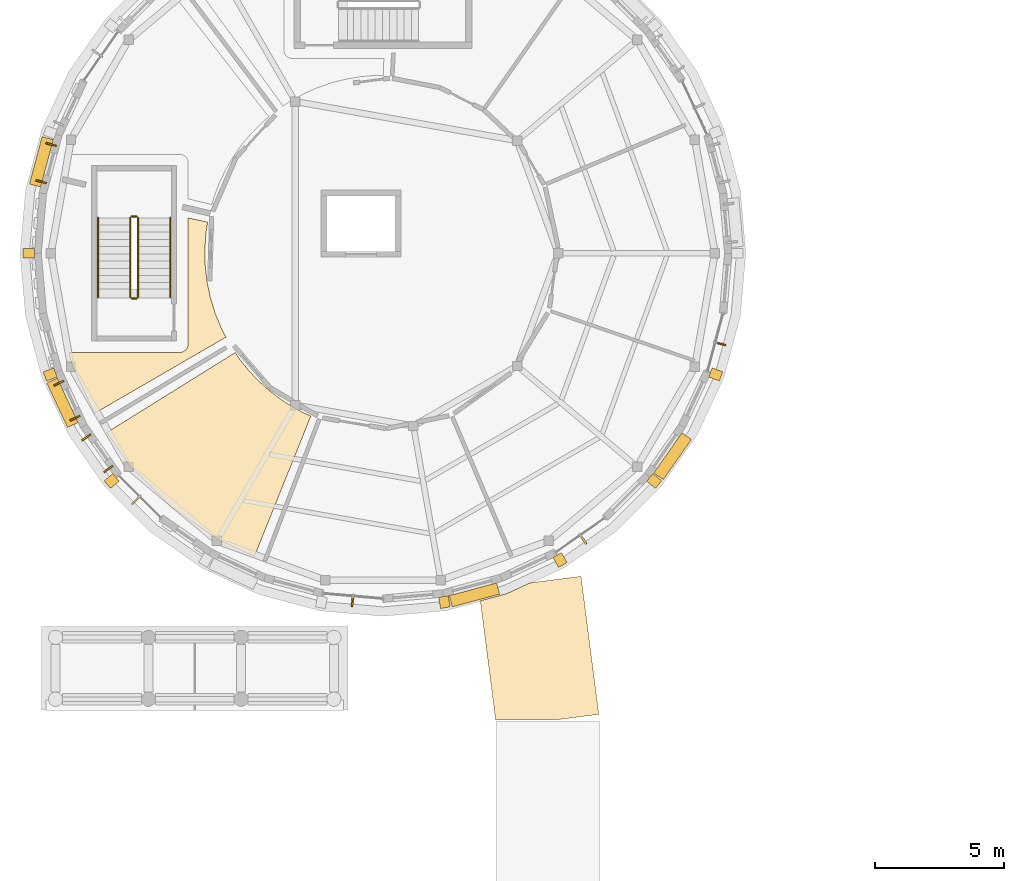
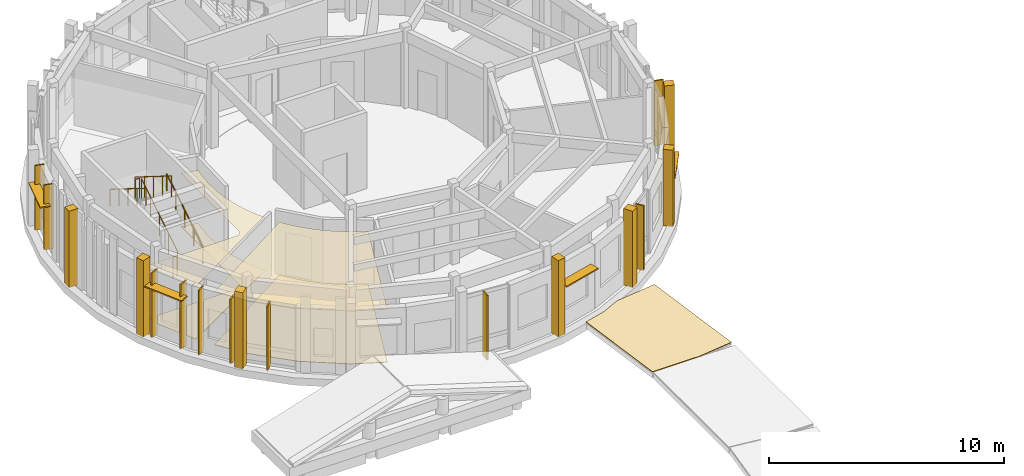
# One storey, part 53 of 58: 14 shading devices, 12 coverings, 6 railings.
"""IFC4 building model written with IfcOpenShell, lengths in metres."""

import ifcopenshell
import ifcopenshell.guid

model = None  # the IFC model being written
_history = None  # IfcOwnerHistory: only IFC2X3 demands one
_inside = {}  # id of a spatial element -> (the spatial element, [elements in it])
_under = {}  # id of a project, library or spatial element -> (it, [spatial elements below it])
_declared = {}  # id of a project -> (the project, [libraries it declares])
_typed = {}  # id of a type object -> (the type object, [elements of that type])
_made_of = {}  # id of a material, layer set ... -> (it, [elements and type objects made of it])


def new_model(schema):
    """Start an empty IFC model of exactly this schema.

    Asked for "IFC4X3", IfcOpenShell would pick the latest addendum, in which some entities
    have other attributes; the version numbers below select the first issue.
    IFC2X3 requires an IfcOwnerHistory on every rooted entity: one is made here for all.
    """
    global model, _history
    if schema == "IFC4X3":
        model = ifcopenshell.file(schema_version=(4, 3, 0, 0))
    else:
        model = ifcopenshell.file(schema=schema)
    _inside.clear()
    _under.clear()
    _declared.clear()
    _typed.clear()
    _made_of.clear()
    _history = None
    if model.schema == "IFC2X3":
        org = make("IfcOrganization", Name="unknown")
        user = make(
            "IfcPersonAndOrganization",
            ThePerson=make("IfcPerson", FamilyName="unknown"),
            TheOrganization=org,
        )
        app = make(
            "IfcApplication",
            ApplicationDeveloper=org,
            Version="unknown",
            ApplicationFullName="unknown",
            ApplicationIdentifier="unknown",
        )
        _history = make(
            "IfcOwnerHistory",
            OwningUser=user,
            OwningApplication=app,
            ChangeAction="ADDED",
            CreationDate=0,
        )
    return model


def make(cls, **values):
    """One entity of the class cls with the attributes given. An attribute that is None is left unset."""
    return model.create_entity(
        cls, **{name: value for name, value in values.items() if value is not None}
    )


def rooted(cls, **values):
    """An entity with a GlobalId (a new one), such as an element, a storey or a relation."""
    return make(cls, GlobalId=ifcopenshell.guid.new(), OwnerHistory=_history, **values)


def si_unit(unit_type, name, prefix=None):
    """IfcSIUnit, for example si_unit("LENGTHUNIT", "METRE", prefix="MILLI")."""
    return make("IfcSIUnit", UnitType=unit_type, Prefix=prefix, Name=name)


def assignment(units):
    """IfcUnitAssignment: the units of a project."""
    return None if units is None else make("IfcUnitAssignment", Units=units)


def point(xyz):
    """IfcCartesianPoint."""
    return None if xyz is None else make("IfcCartesianPoint", Coordinates=xyz)


def direction(xyz):
    """IfcDirection."""
    return None if xyz is None else make("IfcDirection", DirectionRatios=xyz)


def frame(location, z_axis=None, x_axis=None):
    """IfcAxis2Placement3D, a coordinate frame: its origin and axes. An axis left out is left unset."""
    return make(
        "IfcAxis2Placement3D",
        Location=point(location),
        Axis=direction(z_axis),
        RefDirection=direction(x_axis),
    )


def frame_2d(location, x_axis=None):
    """IfcAxis2Placement2D, a coordinate frame in the plane: its origin and x axis."""
    return make(
        "IfcAxis2Placement2D", Location=point(location), RefDirection=direction(x_axis)
    )


def origin():
    """The frame at (0, 0, 0) with its axes left unset."""
    return frame((0.0, 0.0, 0.0))


def origin_2d():
    """The frame at (0, 0) in the plane with its x axis left unset."""
    return frame_2d((0.0, 0.0))


def place(relative_to, where):
    """IfcLocalPlacement: puts the frame where relative to a parent placement (None: the world)."""
    return make(
        "IfcLocalPlacement", PlacementRelTo=relative_to, RelativePlacement=where
    )


def context(
    kind, dimensions, precision=None, world=None, true_north=None, identifier=None
):
    """IfcGeometricRepresentationContext, for example the 3D "Model" context."""
    return make(
        "IfcGeometricRepresentationContext",
        ContextIdentifier=identifier,
        ContextType=kind,
        CoordinateSpaceDimension=dimensions,
        Precision=precision,
        WorldCoordinateSystem=world,
        TrueNorth=true_north,
    )


def subcontext(parent, identifier, kind, view, scale=None):
    """IfcGeometricRepresentationSubContext, for example "Body" below "Model"."""
    return make(
        "IfcGeometricRepresentationSubContext",
        ContextIdentifier=identifier,
        ContextType=kind,
        ParentContext=parent,
        TargetScale=scale,
        TargetView=view,
    )


def project(units=None, contexts=None):
    """IfcProject with its units and contexts."""
    return rooted(
        "IfcProject",
        Name="project",
        RepresentationContexts=contexts,
        UnitsInContext=assignment(units),
    )


def spatial(cls, under=None, at=None, **own):
    """A site, building, storey or space (cls), placed at a placement, below another one or the project."""
    s = rooted(cls, ObjectPlacement=at, **own)
    if under is not None:
        _under.setdefault(under.id(), (under, []))[1].append(s)
    return s


def polyline(points):
    """IfcPolyline through the points."""
    return make("IfcPolyline", Points=[point(p) for p in points])


def profile(cls, at=None, kind="AREA", **sizes):
    """A parametric profile (cls). Its sizes go by their IFC names, for example OverallWidth=200.0."""
    return make(cls, ProfileType=kind, Position=at, **sizes)


def rectangle(**sizes):
    """IfcRectangleProfileDef."""
    return profile("IfcRectangleProfileDef", **sizes)


def circle(**sizes):
    """IfcCircleProfileDef."""
    return profile("IfcCircleProfileDef", **sizes)


def outline(outer, holes=None, kind="AREA"):
    """IfcArbitraryClosedProfileDef: a profile drawn as a closed curve; with holes, ...WithVoids."""
    if holes is None:
        return make("IfcArbitraryClosedProfileDef", ProfileType=kind, OuterCurve=outer)
    return make(
        "IfcArbitraryProfileDefWithVoids",
        ProfileType=kind,
        OuterCurve=outer,
        InnerCurves=holes,
    )


def extrude(swept, where, along, depth):
    """IfcExtrudedAreaSolid: the profile swept, set in the frame where, extruded along a direction by depth."""
    return make(
        "IfcExtrudedAreaSolid",
        SweptArea=swept,
        Position=where,
        ExtrudedDirection=direction(along),
        Depth=depth,
    )


def shape(context_of_items, identifier, shape_type, items):
    """IfcShapeRepresentation: the items that make up one representation, for example the "Body"."""
    return make(
        "IfcShapeRepresentation",
        ContextOfItems=context_of_items,
        RepresentationIdentifier=identifier,
        RepresentationType=shape_type,
        Items=items,
    )


def material(Name=None, Category=None):
    """IfcMaterial."""
    return make("IfcMaterial", Name=Name, Category=Category)


def layer(
    of_material, thickness, ventilated=None, Name=None, Category=None, Priority=None
):
    """IfcMaterialLayer: one layer of a wall or slab, of a material (None: an air gap)."""
    return make(
        "IfcMaterialLayer",
        Material=of_material,
        LayerThickness=thickness,
        IsVentilated=ventilated,
        Name=Name,
        Category=Category,
        Priority=Priority,
    )


def layer_set(layers, Name=None):
    """IfcMaterialLayerSet."""
    return make("IfcMaterialLayerSet", MaterialLayers=layers, LayerSetName=Name)


def made_of(thing, what):
    """Note that an element or type object is made of a material, layer set ...; save() writes the relation."""
    if what is not None:
        _made_of.setdefault(what.id(), (what, []))[1].append(thing)
    return thing


def type_object(cls, material=None, **own):
    """A type object (cls), such as IfcWallType, which elements share."""
    return made_of(rooted(cls, **own), material)


def element(
    cls,
    number,
    at=None,
    inside=None,
    cuts=None,
    type_object=None,
    material=None,
    context=None,
    identifier="Body",
    shape_type=None,
    held_by="IfcProductDefinitionShape",
    body=None,
    shapes=None,
    **own,
):
    """One element of the class cls, such as IfcWall. Its Tag is "e" and its number.

    at: its placement. inside: the storey or other place that contains it. cuts: it is an
    opening in that element (IfcRelVoidsElement). A single representation is given by context,
    identifier, shape_type and body (its items); several are given by shapes. held_by: the class
    of the entity that holds the representations. save() writes the other relations.
    """
    e = rooted(cls, Tag="e%d" % number, ObjectPlacement=at, **own)
    if body is not None:
        shapes = [shape(context, identifier, shape_type, body)]
    if shapes is not None:
        e.Representation = make(held_by, Representations=shapes)
    if inside is not None:
        _inside.setdefault(inside.id(), (inside, []))[1].append(e)
    if cuts is not None:
        rooted(
            "IfcRelVoidsElement", RelatingBuildingElement=cuts, RelatedOpeningElement=e
        )
    if type_object is not None:
        _typed.setdefault(type_object.id(), (type_object, []))[1].append(e)
    return made_of(e, material)


def aggregate(whole, parts):
    """IfcRelAggregates: a whole, such as a stair, and the parts it consists of."""
    return rooted("IfcRelAggregates", RelatingObject=whole, RelatedObjects=parts)


def save(model, path):
    """Write the relations noted so far, then the file.

    IfcRelAggregates (storeys below a building ...), IfcRelContainedInSpatialStructure (elements
    in a storey), IfcRelDefinesByType, IfcRelAssociatesMaterial and IfcRelDeclares: one each for
    every whole, place, type object, material and project.
    """
    for whole, parts in _under.values():
        aggregate(whole, parts)
    for where, things in _inside.values():
        rooted(
            "IfcRelContainedInSpatialStructure",
            RelatedElements=things,
            RelatingStructure=where,
        )
    for kind, things in _typed.values():
        rooted("IfcRelDefinesByType", RelatedObjects=things, RelatingType=kind)
    for what, things in _made_of.values():
        rooted("IfcRelAssociatesMaterial", RelatedObjects=things, RelatingMaterial=what)
    for by, libraries in _declared.values():
        rooted("IfcRelDeclares", RelatingContext=by, RelatedDefinitions=libraries)
    model.write(path)


model = new_model("IFC4")

# Units and contexts
model_context = context("Model", 3, precision=1e-05, world=origin(), true_north=direction((0.0, 1.0)))
body_context = subcontext(model_context, "Body", "Model", "MODEL_VIEW")
ifc_project = project(units=[si_unit("LENGTHUNIT", "METRE"), si_unit("AREAUNIT", "SQUARE_METRE"), si_unit("VOLUMEUNIT", "CUBIC_METRE"), si_unit("PLANEANGLEUNIT", "RADIAN"), si_unit("MASSUNIT", "GRAM", prefix="KILO")], contexts=[model_context])

# Site, building, storey
site_placement = place(None, origin())
site = spatial("IfcSite", under=ifc_project, at=site_placement, CompositionType="ELEMENT")
building_placement = place(site_placement, origin())
building = spatial("IfcBuilding", under=site, at=building_placement, Name="Aldenvaro Health Centre", CompositionType="ELEMENT")
storey_placement = place(building_placement, frame((0.0, 0.0, 8.75)))
storey = spatial("IfcBuildingStorey", under=building, at=storey_placement, Name="L02", CompositionType="ELEMENT", Elevation=8.75)

# Coverings
ifc_material_1 = material(Name="Antimicrobial Mineral Fibre Ceiling")
ifc_layer_1 = layer(ifc_material_1, 0.01806640625, Name="Antimicrobial Mineral Fibre Ceiling")
ifc_layer_set_1 = layer_set([ifc_layer_1], Name="Antimicrobial Mineral Fibre Ceiling")
covering_type_1 = type_object("IfcCoveringType", Name="COV-CLG-ACT18", PredefinedType="CEILING", material=ifc_layer_set_1)
covering_1_placement = place(storey_placement, frame((0.0, 0.0, 2.75)))
element("IfcCovering", 1, at=covering_1_placement, inside=storey, type_object=covering_type_1, Name="D4-L02-R03 Suspended Ceiling", PredefinedType="CEILING", context=body_context, shape_type="SweptSolid", body=[
    extrude(outline(polyline([(7.305908203125, 93.2880859375), (6.4541015625, 95.115966796875), (6.30810546875, 95.659912109375), (10.6201171875, 95.659912109375), (10.632080078125, 95.659912109375), (10.639892578125, 95.660888671875), (10.6630859375, 95.6630859375), (10.6708984375, 95.6640625), (10.694091796875, 95.6689453125), (10.701904296875, 95.6708984375), (10.72412109375, 95.677001953125), (10.73095703125, 95.679931640625), (10.7529296875, 95.68896484375), (10.760009765625, 95.69189453125), (10.781005859375, 95.7041015625), (10.7880859375, 95.7080078125), (10.806884765625, 95.720947265625), (10.81396484375, 95.72509765625), (10.83203125, 95.739990234375), (10.837890625, 95.74609375), (10.85400390625, 95.761962890625), (10.860107421875, 95.76806640625), (10.875, 95.785888671875), (10.87890625, 95.79296875), (10.89208984375, 95.81201171875), (10.89599609375, 95.819091796875), (10.907958984375, 95.840087890625), (10.910888671875, 95.846923828125), (10.919921875, 95.868896484375), (10.923095703125, 95.8759765625), (10.928955078125, 95.89794921875), (10.930908203125, 95.906005859375), (10.93603515625, 95.928955078125), (10.93701171875, 95.93701171875), (10.93896484375, 95.9599609375), (10.93994140625, 95.968017578125), (10.93994140625, 95.97998046875), (10.93994140625, 100.875), (11.7041015625, 100.7119140625), (11.64111328125, 100.33203125), (11.637939453125, 100.31005859375), (11.593017578125, 99.697998046875), (11.592041015625, 99.676025390625), (11.60400390625, 99.06201171875), (11.60595703125, 99.0400390625), (11.674072265625, 98.429931640625), (11.677001953125, 98.407958984375), (11.801025390625, 97.806884765625), (11.805908203125, 97.785888671875), (11.985107421875, 97.197998046875), (11.991943359375, 97.177001953125), (12.22412109375, 96.60888671875), (12.23291015625, 96.589111328125), (12.410888671875, 96.248046875), (7.305908203125, 93.2880859375)])), origin(), (0.0, 0.0, 1.0), 0.01806640625),
])
covering_2_placement = place(storey_placement, frame((0.0, 0.0, 2.75)))
element("IfcCovering", 2, at=covering_2_placement, inside=storey, type_object=covering_type_1, Name="D4-L02-R04 Suspended Ceiling", PredefinedType="CEILING", context=body_context, shape_type="SweptSolid", body=[
    extrude(outline(polyline([(12.93408203125, 95.405029296875), (12.946044921875, 95.389892578125), (13.27490234375, 94.97802734375), (13.287109375, 94.964111328125), (13.64794921875, 94.580078125), (13.660888671875, 94.56689453125), (14.051025390625, 94.212890625), (14.06591796875, 94.200927734375), (14.48193359375, 93.8779296875), (14.498046875, 93.866943359375), (14.93798828125, 93.5791015625), (14.9541015625, 93.569091796875), (15.416015625, 93.31591796875), (15.43310546875, 93.30810546875), (15.702880859375, 93.18701171875), (13.511962890625, 87.735107421875), (12.091064453125, 88.39794921875), (10.260009765625, 89.679931640625), (8.679931640625, 91.260009765625), (7.780029296875, 92.544921875), (12.76806640625, 95.64990234375), (12.93408203125, 95.405029296875)])), origin(), (0.0, 0.0, 1.0), 0.01806640625),
])
ifc_material_2 = material(Name="Honed Sonoran Buff Limestone", Category="masonry")
ifc_layer_2 = layer(ifc_material_2, 0.280029296875, Name="Honed Sonoran Buff Limestone", Category="masonry")
ifc_layer_set_2 = layer_set([ifc_layer_2], Name="Honed Sonoran Buff Limestone")
covering_type_2 = type_object("IfcCoveringType", Name="COV-CRN-STN", PredefinedType="CLADDING", material=ifc_layer_set_2)
for number, where, z_axis, x_axis, name in (
    (3, (31.410888671875, 94.801025390625, 0.00048828125), (0.0, 0.0, 1.0), (0.939695335552, -0.342012684476, 0.0), "D4 L02 Engaged Classical Limestone Pilaster 02"),
    (4, (29.02587890625, 90.66796875, 0.00048828125), (0.0, 0.0, 1.0), (0.766057587935, -0.642771943979, 0.0), "D4 L02 Engaged Classical Limestone Pilaster 03"),
    (5, (25.3701171875, 87.60107421875, 0.00048828125), (0.0, 0.0, 1.0), (0.499991611653, -0.866030246745, 0.0), "D4 L02 Engaged Classical Limestone Pilaster 04"),
    (6, (20.885986328125, 85.968994140625, 0.00048828125), (0.0, 0.0, 1.0), (0.173661868999, -0.984805338763, 0.0), "D4 L02 Engaged Classical Limestone Pilaster 05"),
    (7, (7.97412109375, 90.66796875, 0.00048828125), (0.0, 0.0, 1.0), (-0.766057587935, -0.642771943979, 0.0), "D4 L02 Engaged Classical Limestone Pilaster 08"),
    (8, (5.589111328125, 94.801025390625, 0.00048828125), (0.0, 0.0, 1.0), (-0.939695335552, -0.342012684476, 0.0), "D4 L02 Engaged Classical Limestone Pilaster 09"),
    (9, (4.760009765625, 99.5, 0.00048828125), (0.0, 0.0, 1.0), (-1.0, 0.0, 0.0), "D4 L02 Engaged Classical Limestone Pilaster 10"),
):
    element("IfcCovering", number, at=place(storey_placement, frame(where, z_axis=z_axis, x_axis=x_axis)), inside=storey, type_object=covering_type_2, Name=name, PredefinedType="CLADDING", context=body_context, shape_type="SweptSolid", body=[
        extrude(rectangle(XDim=0.43994140625, YDim=0.3798828125, at=origin_2d()), origin(), (0.0, 0.0, 1.0), 3.97509765625),
    ])
ifc_material_3 = material(Name="Polished Epoxy Terrazzo Flooring")
ifc_layer_3 = layer(ifc_material_3, 0.02197265625, Name="Polished Epoxy Terrazzo Flooring")
ifc_layer_set_3 = layer_set([ifc_layer_3], Name="Polished Epoxy Terrazzo Flooring")
covering_type_3 = type_object("IfcCoveringType", Name="COV-FLR-TER22", PredefinedType="FLOORING", material=ifc_layer_set_3)
covering_3_placement = place(storey_placement, origin())
element("IfcCovering", 10, at=covering_3_placement, inside=storey, type_object=covering_type_3, Name="D4-L02-R04 Flooring", PredefinedType="FLOORING", context=body_context, shape_type="SweptSolid", body=[
    extrude(outline(polyline([(12.93408203125, 95.405029296875), (12.946044921875, 95.389892578125), (13.27490234375, 94.97802734375), (13.287109375, 94.964111328125), (13.64794921875, 94.580078125), (13.660888671875, 94.56689453125), (14.051025390625, 94.212890625), (14.06591796875, 94.200927734375), (14.48193359375, 93.8779296875), (14.498046875, 93.866943359375), (14.93798828125, 93.5791015625), (14.9541015625, 93.569091796875), (15.416015625, 93.31591796875), (15.43310546875, 93.30810546875), (15.702880859375, 93.18701171875), (13.511962890625, 87.735107421875), (12.091064453125, 88.39794921875), (10.260009765625, 89.679931640625), (8.679931640625, 91.260009765625), (7.780029296875, 92.544921875), (12.76806640625, 95.64990234375), (12.93408203125, 95.405029296875)])), origin(), (0.0, 0.0, 1.0), 0.02197265625),
])
ifc_material_4 = material(Name="Seamless Homogeneous Sheet Vinyl")
ifc_layer_4 = layer(ifc_material_4, 0.013916015625, Name="Seamless Homogeneous Sheet Vinyl")
ifc_layer_set_4 = layer_set([ifc_layer_4], Name="Seamless Homogeneous Sheet Vinyl")
covering_type_4 = type_object("IfcCoveringType", Name="COV-FLR-VNL14", PredefinedType="FLOORING", material=ifc_layer_set_4)
covering_4_placement = place(storey_placement, origin())
element("IfcCovering", 11, at=covering_4_placement, inside=storey, type_object=covering_type_4, Name="D4-L02-R03 Flooring", PredefinedType="FLOORING", context=body_context, shape_type="SweptSolid", body=[
    extrude(outline(polyline([(7.305908203125, 93.2880859375), (6.4541015625, 95.115966796875), (6.30810546875, 95.659912109375), (10.6201171875, 95.659912109375), (10.632080078125, 95.659912109375), (10.639892578125, 95.660888671875), (10.6630859375, 95.6630859375), (10.6708984375, 95.6640625), (10.694091796875, 95.6689453125), (10.701904296875, 95.6708984375), (10.72412109375, 95.677001953125), (10.73095703125, 95.679931640625), (10.7529296875, 95.68896484375), (10.760009765625, 95.69189453125), (10.781005859375, 95.7041015625), (10.7880859375, 95.7080078125), (10.806884765625, 95.720947265625), (10.81396484375, 95.72509765625), (10.83203125, 95.739990234375), (10.837890625, 95.74609375), (10.85400390625, 95.761962890625), (10.860107421875, 95.76806640625), (10.875, 95.785888671875), (10.87890625, 95.79296875), (10.89208984375, 95.81201171875), (10.89599609375, 95.819091796875), (10.907958984375, 95.840087890625), (10.910888671875, 95.846923828125), (10.919921875, 95.868896484375), (10.923095703125, 95.8759765625), (10.928955078125, 95.89794921875), (10.930908203125, 95.906005859375), (10.93603515625, 95.928955078125), (10.93701171875, 95.93701171875), (10.93896484375, 95.9599609375), (10.93994140625, 95.968017578125), (10.93994140625, 95.97998046875), (10.93994140625, 100.875), (11.7041015625, 100.7119140625), (11.64111328125, 100.33203125), (11.637939453125, 100.31005859375), (11.593017578125, 99.697998046875), (11.592041015625, 99.676025390625), (11.60400390625, 99.06201171875), (11.60595703125, 99.0400390625), (11.674072265625, 98.429931640625), (11.677001953125, 98.407958984375), (11.801025390625, 97.806884765625), (11.805908203125, 97.785888671875), (11.985107421875, 97.197998046875), (11.991943359375, 97.177001953125), (12.22412109375, 96.60888671875), (12.23291015625, 96.589111328125), (12.410888671875, 96.248046875), (7.305908203125, 93.2880859375)])), origin(), (0.0, 0.0, 1.0), 0.013916015625),
])
ifc_material_5 = material(Name="TPO Reflective Cool Roof Membrane")
ifc_layer_5 = layer(ifc_material_5, 0.030029296875, Name="TPO Reflective Cool Roof Membrane")
ifc_layer_set_5 = layer_set([ifc_layer_5], Name="TPO Reflective Cool Roof Membrane")
covering_type_5 = type_object("IfcCoveringType", Name="COV-RF-MEM", PredefinedType="ROOFING", material=ifc_layer_set_5)
covering_5_placement = place(storey_placement, frame((0.0, 0.0, 0.06005859375)))
element("IfcCovering", 12, at=covering_5_placement, inside=storey, type_object=covering_type_5, Name="West North Curved Garden Walkway Arc 3 flat roof Cool Limestone Ballast Membrane", PredefinedType="ROOFING", context=body_context, shape_type="SweptSolid", body=[
    extrude(outline(polyline([(26.18603515625, 86.970947265625), (26.876953125, 81.613037109375), (25.202880859375, 81.39697265625), (22.87109375, 81.39697265625), (22.27587890625, 86.02099609375), (23.304931640625, 86.297119140625), (24.202880859375, 86.716064453125), (26.18603515625, 86.970947265625)])), origin(), (0.0, 0.0, 1.0), 0.030029296875),
])

# Railings
ifc_material_6 = material(Name="Painted Architectural Steel", Category="steel")
railing_type_1 = type_object("IfcRailingType", Name="RL-BAL-INT", PredefinedType="BALUSTRADE", material=ifc_material_6)
railing_1_placement = place(storey_placement, frame((9.0, 97.800048828125, 0.175048828125)))
element("IfcRailing", 13, at=railing_1_placement, inside=storey, type_object=railing_type_1, Name="L02 ST-08 stair guard 1", PredefinedType="BALUSTRADE", context=body_context, shape_type="SweptSolid", body=[
    extrude(circle(Radius=0.02392578125, at=origin_2d()), frame((0.0, 0.0, 1.076171875), z_axis=(0.0, 0.847979421464, 0.530029150871), x_axis=(-1.0, 0.0, 0.0)), (0.0, 0.0, 1.0), 3.632080078125),
    extrude(circle(Radius=0.02099609375, at=origin_2d()), origin(), (0.0, 0.0, 1.0), 1.052001953125),
    extrude(circle(Radius=0.02099609375, at=origin_2d()), frame((0.0, 0.77001953125, 0.481201171875)), (0.0, 0.0, 1.0), 1.052001953125),
    extrude(circle(Radius=0.02099609375, at=origin_2d()), frame((0.0, 1.5400390625, 0.96240234375)), (0.0, 0.0, 1.0), 1.052001953125),
    extrude(circle(Radius=0.02099609375, at=origin_2d()), frame((0.0, 2.309814453125, 1.44384765625)), (0.0, 0.0, 1.0), 1.052001953125),
    extrude(circle(Radius=0.02099609375, at=origin_2d()), frame((0.0, 3.079833984375, 1.925048828125)), (0.0, 0.0, 1.0), 1.052001953125),
])
railing_2_placement = place(storey_placement, frame((8.949951171875, 100.929931640625, 2.10009765625)))
element("IfcRailing", 14, at=railing_2_placement, inside=storey, type_object=railing_type_1, Name="L02 ST-08 stair guard 2", PredefinedType="BALUSTRADE", context=body_context, shape_type="SweptSolid", body=[
    extrude(circle(Radius=0.02392578125, at=origin_2d()), frame((0.0, 0.0, 1.076171875), z_axis=(-1.0, 0.0, 0.0), x_axis=(0.0, -1.0, 0.0)), (0.0, 0.0, 1.0), 0.199951171875),
    extrude(circle(Radius=0.02099609375, at=origin_2d()), origin(), (0.0, 0.0, 1.0), 1.052001953125),
    extrude(circle(Radius=0.02099609375, at=origin_2d()), frame((-0.199951171875, 0.0, 0.0)), (0.0, 0.0, 1.0), 1.052001953125),
])
railing_3_placement = place(storey_placement, frame((8.699951171875, 100.8798828125, 2.27490234375)))
element("IfcRailing", 15, at=railing_3_placement, inside=storey, type_object=railing_type_1, Name="L02 ST-08 stair guard 3", PredefinedType="BALUSTRADE", context=body_context, shape_type="SweptSolid", body=[
    extrude(circle(Radius=0.02392578125, at=origin_2d()), frame((0.0, 0.0, 1.076171875), z_axis=(0.0, -0.847979421464, 0.530029150871), x_axis=(1.0, 0.0, 0.0)), (0.0, 0.0, 1.0), 3.632080078125),
    extrude(circle(Radius=0.02099609375, at=origin_2d()), origin(), (0.0, 0.0, 1.0), 1.052001953125),
    extrude(circle(Radius=0.02099609375, at=origin_2d()), frame((0.0, -0.77001953125, 0.481201171875)), (0.0, 0.0, 1.0), 1.052001953125),
    extrude(circle(Radius=0.02099609375, at=origin_2d()), frame((0.0, -1.5400390625, 0.96240234375)), (0.0, 0.0, 1.0), 1.052001953125),
    extrude(circle(Radius=0.02099609375, at=origin_2d()), frame((0.0, -2.309814453125, 1.44384765625)), (0.0, 0.0, 1.0), 1.052001953125),
    extrude(circle(Radius=0.02099609375, at=origin_2d()), frame((0.0, -3.079833984375, 1.925048828125)), (0.0, 0.0, 1.0), 1.052001953125),
])
railing_4_placement = place(storey_placement, frame((8.949951171875, 97.75, 0.0)))
element("IfcRailing", 16, at=railing_4_placement, inside=storey, type_object=railing_type_1, Name="L02 ST-08 stair guard 4", PredefinedType="BALUSTRADE", context=body_context, shape_type="SweptSolid", body=[
    extrude(circle(Radius=0.02392578125, at=origin_2d()), frame((0.0, 0.0, 1.076171875), z_axis=(-1.0, 0.0, 0.0), x_axis=(0.0, -1.0, 0.0)), (0.0, 0.0, 1.0), 0.199951171875),
    extrude(circle(Radius=0.02099609375, at=origin_2d()), origin(), (0.0, 0.0, 1.0), 1.052001953125),
    extrude(circle(Radius=0.02099609375, at=origin_2d()), frame((-0.199951171875, 0.0, 0.0)), (0.0, 0.0, 1.0), 1.052001953125),
])
railing_type_2 = type_object("IfcRailingType", Name="RL-HND-INT", PredefinedType="HANDRAIL", material=ifc_material_6)
railing_5_placement = place(storey_placement, frame((10.25, 97.800048828125, 0.175048828125)))
element("IfcRailing", 17, at=railing_5_placement, inside=storey, type_object=railing_type_2, Name="L02 ST-08 stair handrail 1", PredefinedType="HANDRAIL", context=body_context, shape_type="SweptSolid", body=[
    extrude(circle(Radius=0.02392578125, at=origin_2d()), frame((0.0, 0.0, 0.8759765625), z_axis=(0.0, 0.847979421464, 0.530029150871), x_axis=(-1.0, 0.0, 0.0)), (0.0, 0.0, 1.0), 3.632080078125),
    extrude(circle(Radius=0.02099609375, at=origin_2d()), origin(), (0.0, 0.0, 1.0), 0.851806640625),
    extrude(circle(Radius=0.02099609375, at=origin_2d()), frame((0.0, 0.77001953125, 0.481201171875)), (0.0, 0.0, 1.0), 0.851806640625),
    extrude(circle(Radius=0.02099609375, at=origin_2d()), frame((0.0, 1.5400390625, 0.96240234375)), (0.0, 0.0, 1.0), 0.851806640625),
    extrude(circle(Radius=0.02099609375, at=origin_2d()), frame((0.0, 2.309814453125, 1.44384765625)), (0.0, 0.0, 1.0), 0.851806640625),
    extrude(circle(Radius=0.02099609375, at=origin_2d()), frame((0.0, 3.079833984375, 1.925048828125)), (0.0, 0.0, 1.0), 0.851806640625),
])
railing_6_placement = place(storey_placement, frame((7.449951171875, 100.8798828125, 2.27490234375)))
element("IfcRailing", 18, at=railing_6_placement, inside=storey, type_object=railing_type_2, Name="L02 ST-08 stair handrail 2", PredefinedType="HANDRAIL", context=body_context, shape_type="SweptSolid", body=[
    extrude(circle(Radius=0.02392578125, at=origin_2d()), frame((0.0, 0.0, 0.8759765625), z_axis=(0.0, -0.847979421464, 0.530029150871), x_axis=(1.0, 0.0, 0.0)), (0.0, 0.0, 1.0), 3.632080078125),
    extrude(circle(Radius=0.02099609375, at=origin_2d()), origin(), (0.0, 0.0, 1.0), 0.851806640625),
    extrude(circle(Radius=0.02099609375, at=origin_2d()), frame((0.0, -0.77001953125, 0.481201171875)), (0.0, 0.0, 1.0), 0.851806640625),
    extrude(circle(Radius=0.02099609375, at=origin_2d()), frame((0.0, -1.5400390625, 0.96240234375)), (0.0, 0.0, 1.0), 0.851806640625),
    extrude(circle(Radius=0.02099609375, at=origin_2d()), frame((0.0, -2.309814453125, 1.44384765625)), (0.0, 0.0, 1.0), 0.851806640625),
    extrude(circle(Radius=0.02099609375, at=origin_2d()), frame((0.0, -3.079833984375, 1.925048828125)), (0.0, 0.0, 1.0), 0.851806640625),
])

# Shading devices
ifc_material_7 = material(Name="Douglas Fir Exterior Glulam GL28h", Category="wood")
shading_device_type_1 = type_object("IfcShadingDeviceType", Name="SHD-FIN-340", PredefinedType="USERDEFINED", material=ifc_material_7)
shading_device_placement = place(storey_placement, frame((26.277099609375, 88.39306640625, -0.01953125), z_axis=(0.0, 0.0, 1.0), x_axis=(-0.819050849853, -0.573720929857, 0.0)))
element("IfcShadingDevice", 19, at=shading_device_placement, inside=storey, type_object=shading_device_type_1, Name="D4 L02 vertical timber fin 6.0", ObjectType="FIN", PredefinedType="USERDEFINED", context=body_context, shape_type="SweptSolid", body=[
    extrude(rectangle(XDim=0.074951171875, YDim=0.419921875, at=origin_2d()), origin(), (0.0, 0.0, 1.0), 3.368896484375),
])
shading_device_type_2 = type_object("IfcShadingDeviceType", Name="SHD-FIN-400", PredefinedType="USERDEFINED", material=ifc_material_7)
for number, where, z_axis, x_axis, name in (
    (20, (17.318115234375, 85.992919921875, -0.01953125), (0.0, 0.0, 1.0), (-0.996179299052, 0.087331575855, 0.0), "D4 L02 vertical timber fin 10.0"),
    (21, (6.55908203125, 93.10693359375, -0.01953125), (0.0, 0.0, 1.0), (-0.422557314215, 0.90633620484, 0.0), "D4 L02 Douglas fir fin 16.1"),
    (22, (5.927001953125, 94.4619140625, -0.01953125), (0.0, 0.0, 1.0), (-0.422557314215, 0.90633620484, 0.0), "D4 L02 Douglas fir fin 16.3"),
):
    element("IfcShadingDevice", number, at=place(storey_placement, frame(where, z_axis=z_axis, x_axis=x_axis)), inside=storey, type_object=shading_device_type_2, Name=name, ObjectType="FIN", PredefinedType="USERDEFINED", context=body_context, shape_type="SweptSolid", body=[
        extrude(rectangle(XDim=0.06494140625, YDim=0.419921875, at=origin_2d()), origin(), (0.0, 0.0, 1.0), 3.368896484375),
    ])
shading_device_type_3 = type_object("IfcShadingDeviceType", Name="SHD-FIN-420", PredefinedType="USERDEFINED", material=ifc_material_7)
for number, where, z_axis, x_axis, name in (
    (23, (7.85107421875, 91.131103515625, -0.01953125), (0.0, 0.0, 1.0), (-0.573720929857, 0.819050849853, 0.0), "D4 L02 Douglas fir fin 15.1"),
    (24, (6.992919921875, 92.35595703125, -0.01953125), (0.0, 0.0, 1.0), (-0.573720929857, 0.819050849853, 0.0), "D4 L02 Douglas fir fin 15.3"),
):
    element("IfcShadingDevice", number, at=place(storey_placement, frame(where, z_axis=z_axis, x_axis=x_axis)), inside=storey, type_object=shading_device_type_3, Name=name, ObjectType="FIN", PredefinedType="USERDEFINED", context=body_context, shape_type="SweptSolid", body=[
        extrude(rectangle(XDim=0.06494140625, YDim=0.419921875, at=origin_2d()), origin(), (0.0, 0.0, 1.0), 3.368896484375),
    ])
shading_device_type_4 = type_object("IfcShadingDeviceType", Name="SHD-FIN-435", PredefinedType="USERDEFINED", material=ifc_material_7)
for number, where, z_axis, x_axis, name in (
    (25, (31.596923828125, 95.990966796875, -0.01953125), (0.0, 0.0, 1.0), (-0.258621935517, -0.965978620089, 0.0), "D4 L02 vertical timber fin 2.0"),
    (26, (8.9130859375, 89.9130859375, -0.01953125), (0.0, 0.0, 1.0), (-0.707106781187, 0.707106781187, 0.0), "D4 L02 vertical timber fin 14.0"),
    (27, (5.243896484375, 102.278076171875, -0.01953125), (0.0, 0.0, 1.0), (0.258621935517, 0.965978620089, 0.0), "D4 L02 Douglas fir fin 20.1"),
    (28, (5.6298828125, 103.722900390625, -0.01953125), (0.0, 0.0, 1.0), (0.258621935517, 0.965978620089, 0.0), "D4 L02 Douglas fir fin 20.3"),
):
    element("IfcShadingDevice", number, at=place(storey_placement, frame(where, z_axis=z_axis, x_axis=x_axis)), inside=storey, type_object=shading_device_type_4, Name=name, ObjectType="FIN", PredefinedType="USERDEFINED", context=body_context, shape_type="SweptSolid", body=[
        extrude(rectangle(XDim=0.06494140625, YDim=0.419921875, at=origin_2d()), origin(), (0.0, 0.0, 1.0), 3.368896484375),
    ])
shading_device_type_5 = type_object("IfcShadingDeviceType", Name="SHD-LVR-190", PredefinedType="JALOUSIE", material=ifc_material_7)
for number, where, z_axis, x_axis, name in (
    (29, (29.738037109375, 91.631103515625, 2.197509765625), (0.0, 0.0, 1.0), (-0.573720929857, -0.819050849853, 0.0), "D4 L02 horizontal solar louvre 04"),
    (30, (22.050048828125, 86.2490234375, 2.3974609375), (0.0, 0.0, 1.0), (-0.965978620089, -0.258621935517, 0.0), "D4 L02 horizontal solar louvre 08"),
    (31, (6.06591796875, 93.701904296875, 2.6474609375), (0.0, 0.0, 1.0), (-0.422557314215, 0.90633620484, 0.0), "D4 L02 horizontal solar louvre 16"),
    (32, (5.2490234375, 103.051025390625, 2.297607421875), (0.0, 0.0, 1.0), (0.258621935517, 0.965978620089, 0.0), "D4 L02 horizontal solar louvre 20"),
):
    element("IfcShadingDevice", number, at=place(storey_placement, frame(where, z_axis=z_axis, x_axis=x_axis)), inside=storey, type_object=shading_device_type_5, Name=name, PredefinedType="JALOUSIE", context=body_context, shape_type="SweptSolid", body=[
        extrude(rectangle(XDim=1.89990234375, YDim=0.449951171875, at=origin_2d()), origin(), (0.0, 0.0, 1.0), 0.06494140625),
    ])

save(model, "model.ifc")
